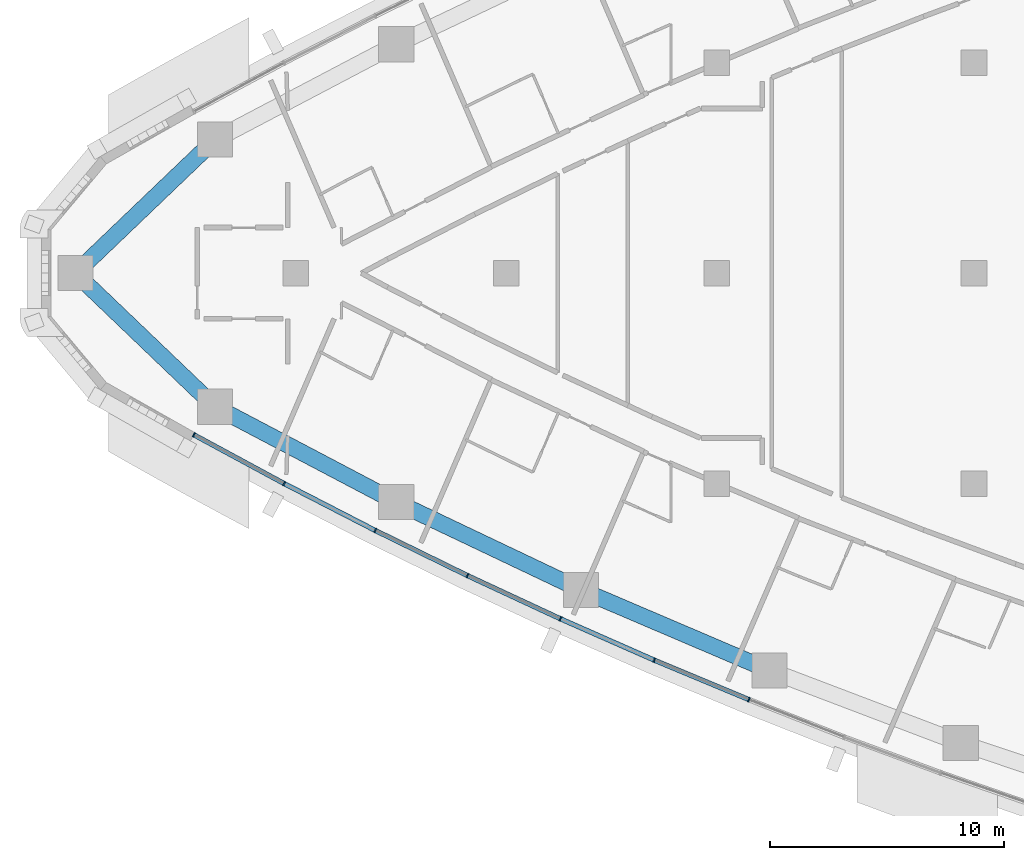
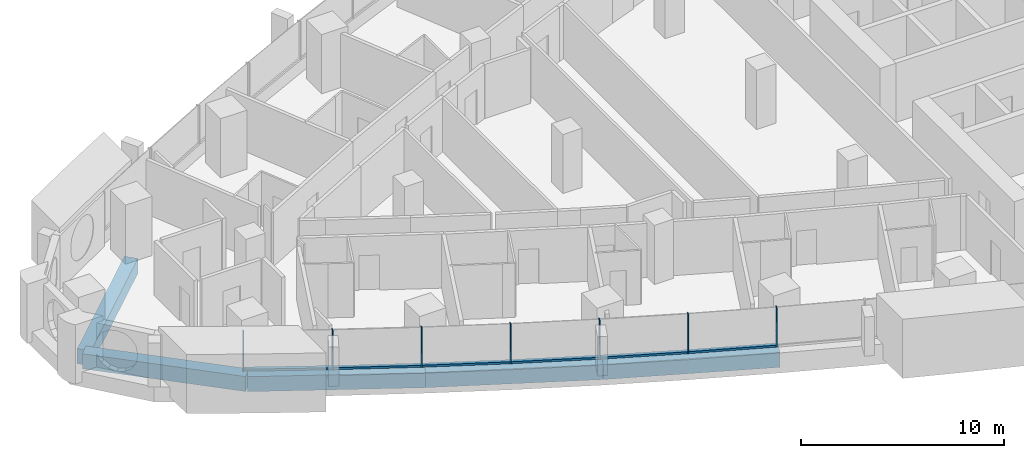
# One storey, part 2 of 17: 13 members, 5 beams, 3 elements without a shape of their own.
"""IFC4 building model written with IfcOpenShell, lengths in metres."""

from ifc_helpers import new_model, si_unit, direction, frame, origin, origin_2d, place, context, subcontext, project, spatial, rectangle, extrude, material, layer, layer_set, material_profile, profile_set, type_object, element, aggregate, save


model = new_model("IFC4")

# Units and contexts
model_context = context("Model", 3, precision=1e-05, world=origin(), true_north=direction((0.0, 1.0)))
body_context = subcontext(model_context, "Body", "Model", "MODEL_VIEW")
ifc_project = project(units=[si_unit("LENGTHUNIT", "METRE"), si_unit("AREAUNIT", "SQUARE_METRE"), si_unit("VOLUMEUNIT", "CUBIC_METRE"), si_unit("PLANEANGLEUNIT", "RADIAN"), si_unit("MASSUNIT", "GRAM", prefix="KILO")], contexts=[model_context])

# Site, building, storey
site_placement = place(None, origin())
site = spatial("IfcSite", under=ifc_project, at=site_placement, CompositionType="ELEMENT")
building_placement = place(site_placement, origin())
building = spatial("IfcBuilding", under=site, at=building_placement, Name="Ostrand Prow Hotel Tower", CompositionType="ELEMENT")
storey_placement = place(building_placement, frame((0.0, 0.0, 144.39990234375)))
storey = spatial("IfcBuildingStorey", under=building, at=storey_placement, Name="L35", CompositionType="ELEMENT", Elevation=144.39990234375)

# Beams
ifc_material_1 = material(Name="Concrete C70/85", Category="concrete")
ifc_material_profile_1 = material_profile(ifc_material_1, rectangle(XDim=0.699951171875, YDim=0.89990234375, at=origin_2d()), Name="RC 700x900")
ifc_profile_set_1 = profile_set([ifc_material_profile_1], Name="Concrete C70/85")
beam_type = type_object("IfcBeamType", Name="Edge beam 700x900 C70/85", PredefinedType="SPANDREL", material=ifc_profile_set_1)
beam_1_placement = place(storey_placement, frame((6.580078125, 0.0, -0.75), z_axis=(0.722689968521, -0.691172344209, 0.0), x_axis=(0.691172344209, 0.722689968521, 0.0)))
element("IfcBeam", 1, at=beam_1_placement, inside=storey, type_object=beam_type, Name="Edge beam P-S1", PredefinedType="SPANDREL", context=body_context, shape_type="SweptSolid", body=[
    extrude(rectangle(XDim=0.699951171875, YDim=0.89990234375, at=origin_2d()), origin(), (0.0, 0.0, 1.0), 8.26513671875),
])
for number, where, z_axis, x_axis, name in (
    (2, (12.55322265625, -5.712646484375, -0.75), (0.885016215308, -0.465560198731, 0.0), (0.465560198731, 0.885016215308, 0.0), "Edge beam S1-S2"),
    (3, (20.300048828125, -9.787841796875, -0.75), (0.903083113352, -0.429465819803, 0.0), (0.429465819803, 0.903083113352, 0.0), "Edge beam S2-S3"),
    (4, (28.205078125, -13.547119140625, -0.75), (0.919700966994, -0.392619575811, 0.0), (0.392619575811, 0.919700966994, 0.0), "Edge beam S3-S4"),
):
    element("IfcBeam", number, at=place(storey_placement, frame(where, z_axis=z_axis, x_axis=x_axis)), inside=storey, type_object=beam_type, Name=name, PredefinedType="SPANDREL", context=body_context, shape_type="SweptSolid", body=[
        extrude(rectangle(XDim=0.699951171875, YDim=0.89990234375, at=origin_2d()), origin(), (0.0, 0.0, 1.0), 8.75341796875),
    ])
beam_2_placement = place(storey_placement, frame((12.55322265625, 5.712646484375, -0.75), z_axis=(-0.722689968521, -0.691172344209, 0.0), x_axis=(0.691172344209, -0.722689968521, 0.0)))
element("IfcBeam", 5, at=beam_2_placement, inside=storey, type_object=beam_type, Name="Edge beam N6-P", PredefinedType="SPANDREL", context=body_context, shape_type="SweptSolid", body=[
    extrude(rectangle(XDim=0.699951171875, YDim=0.89990234375, at=origin_2d()), origin(), (0.0, 0.0, 1.0), 8.26513671875),
])

# Curtain wall, members
ifc_material_2 = material(Name="Insulated glass in bronze anodised frame", Category="glass")
ifc_layer = layer(ifc_material_2, 0.199951171875)
ifc_layer_set = layer_set([ifc_layer], Name="Insulated glass in bronze anodised frame")
curtain_wall_type = type_object("IfcCurtainWallType", Name="Strip curtain wall, fritted glass over bronze spandrel", PredefinedType="NOTDEFINED", material=ifc_layer_set)
curtain_wall_1_placement = place(storey_placement, origin())
curtain_wall_1 = element("IfcCurtainWall", 6, at=curtain_wall_1_placement, inside=storey, type_object=curtain_wall_type, Name="CW1 run CWS1", PredefinedType="NOTDEFINED")
ifc_material_3 = material(Name="Bronze anodised aluminium", Category="aluminium")
ifc_material_profile_2 = material_profile(ifc_material_3, rectangle(XDim=0.199951171875, YDim=0.06005859375, at=origin_2d()), Name="Mullion 60x200 bronze anodised aluminium")
ifc_profile_set_2 = profile_set([ifc_material_profile_2], Name="Bronze anodised aluminium")
member_type_1 = type_object("IfcMemberType", Name="Mullion 60x200 bronze anodised aluminium", PredefinedType="MULLION", material=ifc_profile_set_2)
member_1_placement = place(storey_placement, frame((11.64306640625, -6.909423828125, 0.900146484375), z_axis=(0.0, 0.0, 1.0), x_axis=(0.475393901316, 0.879773060847, 0.0)))
member_1 = element("IfcMember", 7, at=member_1_placement, type_object=member_type_1, Name="CW1 mullion 1", PredefinedType="MULLION", context=body_context, shape_type="SweptSolid", body=[
    extrude(rectangle(XDim=0.199951171875, YDim=0.06005859375, at=origin_2d()), origin(), (0.0, 0.0, 1.0), 2.349853515625),
])
member_2_placement = place(storey_placement, frame((15.501708984375, -8.99462890625, 0.900146484375), z_axis=(0.0, 0.0, 1.0), x_axis=(0.457619429434, 0.889148164146, 0.0)))
member_2 = element("IfcMember", 8, at=member_2_placement, type_object=member_type_1, Name="CW1 mullion 2", PredefinedType="MULLION", context=body_context, shape_type="SweptSolid", body=[
    extrude(rectangle(XDim=0.199951171875, YDim=0.06005859375, at=origin_2d()), origin(), (0.0, 0.0, 1.0), 2.349853515625),
])
member_3_placement = place(storey_placement, frame((19.401611328125, -11.001708984375, 0.900146484375), z_axis=(0.0, 0.0, 1.0), x_axis=(0.457619429434, 0.889148164146, 0.0)))
member_3 = element("IfcMember", 9, at=member_3_placement, type_object=member_type_1, Name="CW1 mullion 3", PredefinedType="MULLION", context=body_context, shape_type="SweptSolid", body=[
    extrude(rectangle(XDim=0.199951171875, YDim=0.06005859375, at=origin_2d()), origin(), (0.0, 0.0, 1.0), 2.349853515625),
])

curtain_wall_2_placement = place(storey_placement, origin())
curtain_wall_2 = element("IfcCurtainWall", 10, at=curtain_wall_2_placement, inside=storey, type_object=curtain_wall_type, Name="CW1 run CWS2", PredefinedType="NOTDEFINED")
member_4_placement = place(storey_placement, frame((23.341064453125, -12.93017578125, 0.900146484375), z_axis=(0.0, 0.0, 1.0), x_axis=(0.421521761673, 0.906818286337, 0.0)))
member_4 = element("IfcMember", 11, at=member_4_placement, type_object=member_type_1, Name="CW1 mullion 2", PredefinedType="MULLION", context=body_context, shape_type="SweptSolid", body=[
    extrude(rectangle(XDim=0.199951171875, YDim=0.06005859375, at=origin_2d()), origin(), (0.0, 0.0, 1.0), 2.349853515625),
])
member_5_placement = place(storey_placement, frame((27.318359375, -14.77880859375, 0.900146484375), z_axis=(0.0, 0.0, 1.0), x_axis=(0.421521761673, 0.906818286337, 0.0)))
member_5 = element("IfcMember", 12, at=member_5_placement, type_object=member_type_1, Name="CW1 mullion 3", PredefinedType="MULLION", context=body_context, shape_type="SweptSolid", body=[
    extrude(rectangle(XDim=0.199951171875, YDim=0.06005859375, at=origin_2d()), origin(), (0.0, 0.0, 1.0), 2.349853515625),
])

curtain_wall_3_placement = place(storey_placement, origin())
curtain_wall_3 = element("IfcCurtainWall", 13, at=curtain_wall_3_placement, inside=storey, type_object=curtain_wall_type, Name="CW1 run CWS3", PredefinedType="NOTDEFINED")
member_6_placement = place(storey_placement, frame((31.332275390625, -16.54736328125, 0.900146484375), z_axis=(0.0, 0.0, 1.0), x_axis=(0.384743220418, 0.92302364777, 0.0)))
member_6 = element("IfcMember", 14, at=member_6_placement, type_object=member_type_1, Name="CW1 mullion 2", PredefinedType="MULLION", context=body_context, shape_type="SweptSolid", body=[
    extrude(rectangle(XDim=0.199951171875, YDim=0.06005859375, at=origin_2d()), origin(), (0.0, 0.0, 1.0), 2.349853515625),
])
member_7_placement = place(storey_placement, frame((35.380615234375, -18.235107421875, 0.900146484375), z_axis=(0.0, 0.0, 1.0), x_axis=(0.384743220418, 0.92302364777, 0.0)))
member_7 = element("IfcMember", 15, at=member_7_placement, type_object=member_type_1, Name="CW1 mullion 3", PredefinedType="MULLION", context=body_context, shape_type="SweptSolid", body=[
    extrude(rectangle(XDim=0.199951171875, YDim=0.06005859375, at=origin_2d()), origin(), (0.0, 0.0, 1.0), 2.349853515625),
])

# Member
ifc_material_4 = material(Name="Bronze anodised aluminium", Category="aluminium")
ifc_material_profile_3 = material_profile(ifc_material_4, rectangle(XDim=0.199951171875, YDim=0.1201171875, at=origin_2d()), Name="Transom 120x200 bronze anodised aluminium")
ifc_profile_set_3 = profile_set([ifc_material_profile_3], Name="Bronze anodised aluminium")
member_type_2 = type_object("IfcMemberType", Name="Transom 120x200 bronze anodised aluminium", PredefinedType="USERDEFINED", material=ifc_profile_set_3)
member_8_placement = place(storey_placement, frame((11.66943359375, -6.923583984375, 0.960205078125), z_axis=(0.879765206929, -0.475408435639, 0.0), x_axis=(0.475408435639, 0.879765206929, 0.0)))
member_8 = element("IfcMember", 16, at=member_8_placement, type_object=member_type_2, Name="CW1 transom 1.1", ObjectType="TRANSOM", PredefinedType="USERDEFINED", context=body_context, shape_type="SweptSolid", body=[
    extrude(rectangle(XDim=0.199951171875, YDim=0.1201171875, at=origin_2d()), origin(), (0.0, 0.0, 1.0), 4.326171875),
])

member_9_placement = place(storey_placement, frame((15.528564453125, -9.00830078125, 0.960205078125), z_axis=(0.88914020052, -0.457634902318, 0.0), x_axis=(0.457634902318, 0.88914020052, 0.0)))
member_9 = element("IfcMember", 17, at=member_9_placement, type_object=member_type_2, Name="CW1 transom 2.1", ObjectType="TRANSOM", PredefinedType="USERDEFINED", context=body_context, shape_type="SweptSolid", body=[
    extrude(rectangle(XDim=0.199951171875, YDim=0.1201171875, at=origin_2d()), origin(), (0.0, 0.0, 1.0), 4.325927734375),
])

aggregate(curtain_wall_1, [member_1, member_2, member_3, member_8, member_9])

member_10_placement = place(storey_placement, frame((19.4287109375, -11.014892578125, 0.960205078125), z_axis=(0.89815413626, -0.439680733623, 0.0), x_axis=(0.439680733623, 0.89815413626, 0.0)))
member_10 = element("IfcMember", 18, at=member_10_placement, type_object=member_type_2, Name="CW1 transom 1.1", ObjectType="TRANSOM", PredefinedType="USERDEFINED", context=body_context, shape_type="SweptSolid", body=[
    extrude(rectangle(XDim=0.199951171875, YDim=0.1201171875, at=origin_2d()), origin(), (0.0, 0.0, 1.0), 4.326171875),
])

member_11_placement = place(storey_placement, frame((23.368408203125, -12.942626953125, 0.960205078125), z_axis=(0.906796377468, -0.421568890944, 0.0), x_axis=(0.421568890944, 0.906796377468, 0.0)))
member_11 = element("IfcMember", 19, at=member_11_placement, type_object=member_type_2, Name="CW1 transom 2.1", ObjectType="TRANSOM", PredefinedType="USERDEFINED", context=body_context, shape_type="SweptSolid", body=[
    extrude(rectangle(XDim=0.199951171875, YDim=0.1201171875, at=origin_2d()), origin(), (0.0, 0.0, 1.0), 4.326171875),
])

aggregate(curtain_wall_2, [member_4, member_5, member_10, member_11])

member_12_placement = place(storey_placement, frame((27.345947265625, -14.791015625, 0.960205078125), z_axis=(0.91509853977, -0.403230284715, 0.0), x_axis=(0.403230284715, 0.91509853977, 0.0)))
member_12 = element("IfcMember", 20, at=member_12_placement, type_object=member_type_2, Name="CW1 transom 1.1", ObjectType="TRANSOM", PredefinedType="USERDEFINED", context=body_context, shape_type="SweptSolid", body=[
    extrude(rectangle(XDim=0.199951171875, YDim=0.1201171875, at=origin_2d()), origin(), (0.0, 0.0, 1.0), 4.325927734375),
])

member_13_placement = place(storey_placement, frame((31.35986328125, -16.55908203125, 0.960205078125), z_axis=(0.923028493412, -0.384731595206, 0.0), x_axis=(0.384731595206, 0.923028493412, 0.0)))
member_13 = element("IfcMember", 21, at=member_13_placement, type_object=member_type_2, Name="CW1 transom 2.1", ObjectType="TRANSOM", PredefinedType="USERDEFINED", context=body_context, shape_type="SweptSolid", body=[
    extrude(rectangle(XDim=0.199951171875, YDim=0.1201171875, at=origin_2d()), origin(), (0.0, 0.0, 1.0), 4.325927734375),
])

aggregate(curtain_wall_3, [member_6, member_7, member_12, member_13])

save(model, "model.ifc")
